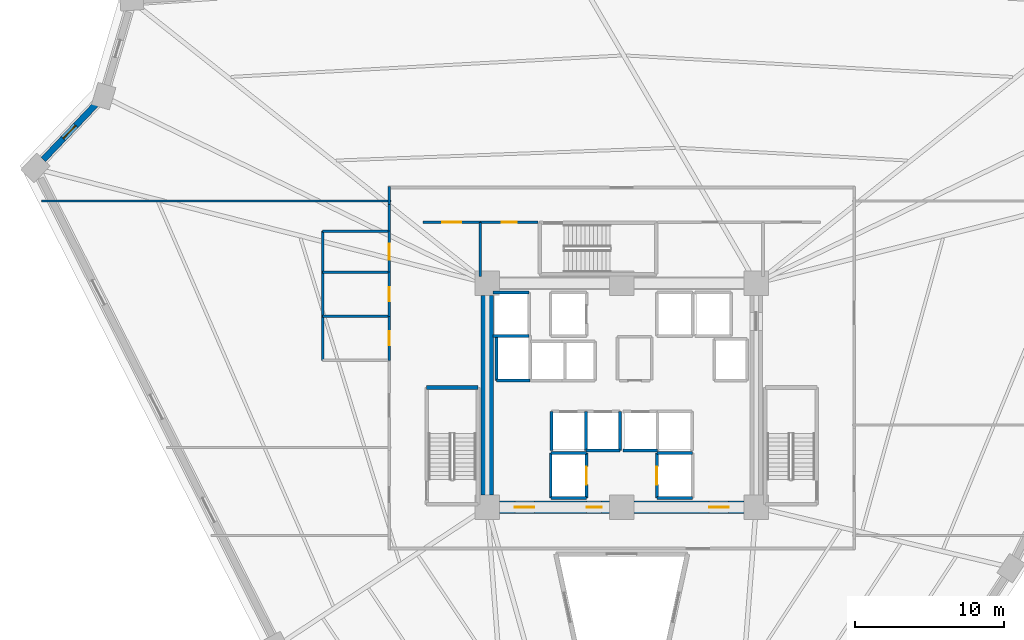
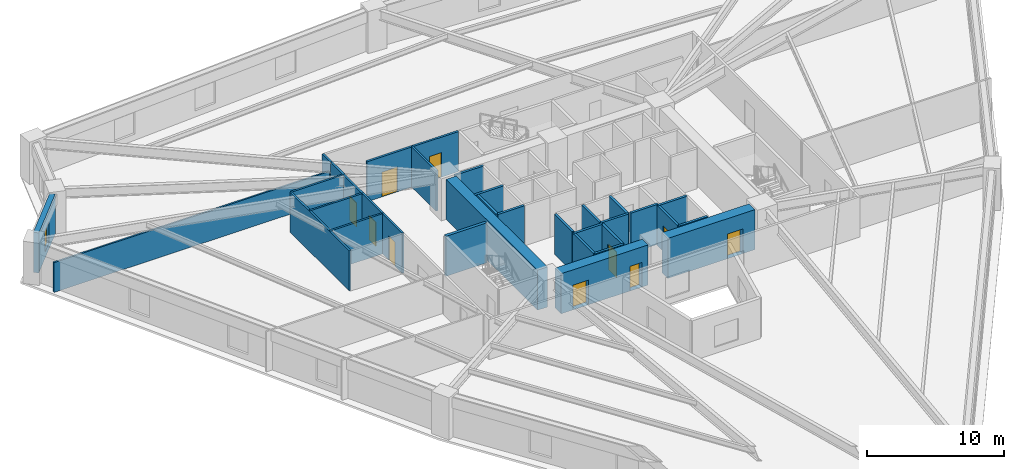
# One storey, part 4 of 8: 34 walls, 10 doors, 1 window, 11 openings.
"""IFC4 building model written with IfcOpenShell, lengths in metres."""

from ifc_helpers import new_model, si_unit, direction, frame, frame_2d, origin, place, context, subcontext, project, spatial, rectangle, extrude, source, transform, mapped, material, layer, layer_set, type_object, element, fill, save


model = new_model("IFC4")

# Units and contexts
model_context = context("Model", 3, precision=1e-05, world=origin(), true_north=direction((0.0, 1.0)))
body_context = subcontext(model_context, "Body", "Model", "MODEL_VIEW")
ifc_project = project(units=[si_unit("LENGTHUNIT", "METRE"), si_unit("AREAUNIT", "SQUARE_METRE"), si_unit("VOLUMEUNIT", "CUBIC_METRE"), si_unit("PLANEANGLEUNIT", "RADIAN"), si_unit("MASSUNIT", "GRAM", prefix="KILO")], contexts=[model_context])

# Site, building, storey
site_placement = place(None, origin())
site = spatial("IfcSite", under=ifc_project, at=site_placement, CompositionType="ELEMENT")
building_placement = place(site_placement, origin())
building = spatial("IfcBuilding", under=site, at=building_placement, Name="Liaohun Quay Tower", CompositionType="ELEMENT")
storey_placement = place(building_placement, frame((0.0, 0.0, 36.0)))
storey = spatial("IfcBuildingStorey", under=building, at=storey_placement, Name="L09", CompositionType="ELEMENT", Elevation=36.0)

# Wall, opening, door
ifc_material_1 = material(Name="Concrete C60", Category="concrete")
ifc_layer_1 = layer(ifc_material_1, 0.85009765625, Name="Concrete C60", Category="concrete")
ifc_layer_set_1 = layer_set([ifc_layer_1], Name="Concrete C60")
wall_type_1 = type_object("IfcWallType", Name="WAL-COR-Z1", PredefinedType="SHEAR", material=ifc_layer_set_1)
wall_1_placement = place(storey_placement, frame((68.175048828125, 46.5, 0.0), z_axis=(0.0, 0.0, 1.0), x_axis=(-1.0, 0.0, 0.0)))
wall_1 = element("IfcWall", 1, at=wall_1_placement, inside=storey, type_object=wall_type_1, Name="L09 Central Core Shear Wall S-E", PredefinedType="SHEAR", context=body_context, shape_type="SweptSolid", body=[
    extrude(rectangle(XDim=7.35009765625, YDim=0.85009765625, at=frame_2d((3.675048828125, 0.0))), origin(), (0.0, 0.0, 1.0), 3.570068359375),
])
shared_shape_1 = source(origin(), body_context, "Body", "SweptSolid", [
    extrude(rectangle(XDim=1.300048828125, YDim=2.199951171875, at=frame_2d((0.64990234375, 1.10009765625))), frame((0.0, 0.43505859375, 0.0), z_axis=(0.0, -1.0, 0.0), x_axis=(1.0, 0.0, 0.0)), (0.0, 0.0, 1.0), 0.8701171875),
])
opening_1_placement = place(wall_1_placement, frame((1.02490234375, 0.0, 0.0)))
opening_1 = element("IfcOpeningElement", 2, at=opening_1_placement, cuts=wall_1, Name="Opening FD1", PredefinedType="OPENING", context=body_context, shape_type="MappedRepresentation", body=[
    mapped(shared_shape_1, transform((0.0, 0.0, 0.0), x_axis=(1.0, 0.0, 0.0), y_axis=(0.0, 1.0, 0.0), z_axis=(0.0, 0.0, 1.0), scale=1.0)),
])
ifc_material_2 = material(Name="Galvanised steel smokeproof fire door", Category="steel")
door_type_1 = type_object("IfcDoorType", Name="DOR-FFL-1300", OperationType="NOTDEFINED", PredefinedType="DOOR", material=ifc_material_2)
shared_shape_2 = source(origin(), body_context, "Body", "SweptSolid", [
    extrude(rectangle(XDim=1.300048828125, YDim=2.199951171875, at=frame_2d((0.64990234375, 1.10009765625))), frame((0.0, 0.02490234375, 0.0), z_axis=(0.0, -1.0, 0.0), x_axis=(1.0, 0.0, 0.0)), (0.0, 0.0, 1.0), 0.050048828125),
])
door_1_placement = place(opening_1_placement, origin())
door_1 = element("IfcDoor", 3, at=door_1_placement, inside=storey, type_object=door_type_1, Name="L09 East Core Lift Lobby Smokeproof Door", OperationType="SINGLE_SWING_LEFT", OverallHeight=2.199951171875, OverallWidth=1.300048828125, PredefinedType="DOOR", context=body_context, shape_type="MappedRepresentation", body=[
    mapped(shared_shape_2, transform((0.0, 0.0, 0.0), x_axis=(1.0, 0.0, 0.0), y_axis=(0.0, 1.0, 0.0), z_axis=(0.0, 0.0, 1.0), scale=1.0)),
])
fill(opening_1, door_1)

# Wall, openings, doors
wall_2_placement = place(storey_placement, frame((59.175048828125, 46.5, 0.0), z_axis=(0.0, 0.0, 1.0), x_axis=(-1.0, 0.0, 0.0)))
wall_2 = element("IfcWall", 4, at=wall_2_placement, inside=storey, type_object=wall_type_1, Name="L09 Central Core Shear Wall S-W", PredefinedType="SHEAR", context=body_context, shape_type="SweptSolid", body=[
    extrude(rectangle(XDim=7.35009765625, YDim=0.85009765625, at=frame_2d((3.675048828125, 0.0))), origin(), (0.0, 0.0, 1.0), 3.570068359375),
])
opening_2_placement = place(wall_2_placement, frame((5.02490234375, 0.0, 0.0)))
opening_2 = element("IfcOpeningElement", 5, at=opening_2_placement, cuts=wall_2, Name="Opening FD1", PredefinedType="OPENING", context=body_context, shape_type="MappedRepresentation", body=[
    mapped(shared_shape_1, transform((0.0, 0.0, 0.0), x_axis=(1.0, 0.0, 0.0), y_axis=(0.0, 1.0, 0.0), z_axis=(0.0, 0.0, 1.0), scale=1.0)),
])
shared_shape_3 = source(origin(), body_context, "Body", "SweptSolid", [
    extrude(rectangle(XDim=1.0, YDim=2.199951171875, at=frame_2d((0.5, 1.10009765625))), frame((0.0, 0.43505859375, 0.0), z_axis=(0.0, -1.0, 0.0), x_axis=(1.0, 0.0, 0.0)), (0.0, 0.0, 1.0), 0.8701171875),
])
opening_3_placement = place(wall_2_placement, frame((0.52490234375, 0.0, 0.0)))
opening_3 = element("IfcOpeningElement", 6, at=opening_3_placement, cuts=wall_2, Name="Opening FD2", PredefinedType="OPENING", context=body_context, shape_type="MappedRepresentation", body=[
    mapped(shared_shape_3, transform((0.0, 0.0, 0.0), x_axis=(1.0, 0.0, 0.0), y_axis=(0.0, 1.0, 0.0), z_axis=(0.0, 0.0, 1.0), scale=1.0)),
])
door_2_placement = place(opening_2_placement, origin())
door_2 = element("IfcDoor", 7, at=door_2_placement, inside=storey, type_object=door_type_1, Name="L09 West Core Lift Lobby Smokeproof Door", OperationType="SINGLE_SWING_RIGHT", OverallHeight=2.199951171875, OverallWidth=1.300048828125, PredefinedType="DOOR", context=body_context, shape_type="MappedRepresentation", body=[
    mapped(shared_shape_2, transform((0.0, 0.0, 0.0), x_axis=(1.0, 0.0, 0.0), y_axis=(0.0, 1.0, 0.0), z_axis=(0.0, 0.0, 1.0), scale=1.0)),
])
fill(opening_2, door_2)
ifc_material_3 = material(Name="Galvanised steel smokeproof lobby fire door", Category="steel")
door_type_2 = type_object("IfcDoorType", Name="DOR-FFL-1000", OperationType="NOTDEFINED", PredefinedType="DOOR", material=ifc_material_3)
shared_shape_4 = source(origin(), body_context, "Body", "SweptSolid", [
    extrude(rectangle(XDim=1.0, YDim=2.199951171875, at=frame_2d((0.5, 1.10009765625))), frame((0.0, 0.02490234375, 0.0), z_axis=(0.0, -1.0, 0.0), x_axis=(1.0, 0.0, 0.0)), (0.0, 0.0, 1.0), 0.050048828125),
])
door_3_placement = place(opening_3_placement, origin())
door_3 = element("IfcDoor", 8, at=door_3_placement, inside=storey, type_object=door_type_2, Name="L09 South Firefighting Lobby Smokeproof Door", OperationType="SINGLE_SWING_LEFT", OverallHeight=2.199951171875, OverallWidth=1.0, PredefinedType="DOOR", context=body_context, shape_type="MappedRepresentation", body=[
    mapped(shared_shape_4, transform((0.0, 0.0, 0.0), x_axis=(1.0, 0.0, 0.0), y_axis=(0.0, 1.0, 0.0), z_axis=(0.0, 0.0, 1.0), scale=1.0)),
])
fill(opening_3, door_3)

# Wall
wall_3_placement = place(storey_placement, frame((51.0, 47.324951171875, 0.0), z_axis=(0.0, 0.0, 1.0), x_axis=(0.0, 1.0, 0.0)))
element("IfcWall", 9, at=wall_3_placement, inside=storey, type_object=wall_type_1, Name="L09 Central Core Shear Wall W", PredefinedType="SHEAR", context=body_context, shape_type="SweptSolid", body=[
    extrude(rectangle(XDim=13.35009765625, YDim=0.85009765625, at=frame_2d((6.675048828125, 0.0))), origin(), (0.0, 0.0, 1.0), 3.570068359375),
])

# Wall, opening, window
ifc_material_4 = material(Name="Precast concrete C50 insulated sandwich", Category="concrete")
ifc_layer_2 = layer(ifc_material_4, 0.419921875, Name="Precast concrete C50 insulated sandwich", Category="concrete")
ifc_layer_set_2 = layer_set([ifc_layer_2], Name="Precast concrete C50 insulated sandwich")
wall_type_2 = type_object("IfcWallType", Name="WAL-EXT-Z12", PredefinedType="SOLIDWALL", material=ifc_layer_set_2)
wall_4_placement = place(storey_placement, frame((24.7939453125, 73.468017578125, 0.0), z_axis=(0.0, 0.0, 1.0), x_axis=(-0.689456877946, -0.724326731146, 0.0)))
wall_4 = element("IfcWall", 10, at=wall_4_placement, inside=storey, type_object=wall_type_2, Name="L09 Brutalist Precast Pier Wall 09", PredefinedType="SOLIDWALL", context=body_context, shape_type="SweptSolid", body=[
    extrude(rectangle(XDim=5.10400390625, YDim=0.419921875, at=frame_2d((2.552001953125, 0.0))), origin(), (0.0, 0.0, 1.0), 3.570068359375),
])
shared_shape_5 = source(origin(), body_context, "Body", "SweptSolid", [
    extrude(rectangle(XDim=1.199951171875, YDim=1.89990234375, at=frame_2d((0.60009765625, 0.949951171875))), frame((0.0, 0.219970703125, 0.0), z_axis=(0.0, -1.0, 0.0), x_axis=(1.0, 0.0, 0.0)), (0.0, 0.0, 1.0), 0.43994140625),
])
opening_4_placement = place(wall_4_placement, frame((1.951904296875, 0.0, 0.550048828125)))
opening_4 = element("IfcOpeningElement", 11, at=opening_4_placement, cuts=wall_4, Name="Opening W05", PredefinedType="OPENING", context=body_context, shape_type="MappedRepresentation", body=[
    mapped(shared_shape_5, transform((0.0, 0.0, 0.0), x_axis=(1.0, 0.0, 0.0), y_axis=(0.0, 1.0, 0.0), z_axis=(0.0, 0.0, 1.0), scale=1.0)),
])
ifc_material_5 = material(Name="Triple Low-E corner notch glazing", Category="glass")
window_type = type_object("IfcWindowType", Name="WIN-NOTCH", PartitioningType="SINGLE_PANEL", PredefinedType="WINDOW", material=ifc_material_5)
shared_shape_6 = source(origin(), body_context, "Body", "SweptSolid", [
    extrude(rectangle(XDim=1.199951171875, YDim=1.89990234375, at=frame_2d((0.60009765625, 0.949951171875))), frame((0.0, 0.030029296875, 0.0), z_axis=(0.0, -1.0, 0.0), x_axis=(1.0, 0.0, 0.0)), (0.0, 0.0, 1.0), 0.06005859375),
])
window_placement = place(opening_4_placement, origin())
window = element("IfcWindow", 12, at=window_placement, inside=storey, type_object=window_type, Name="L09 Corner Notch Window W05-09", OverallHeight=1.89990234375, OverallWidth=1.199951171875, PartitioningType="SINGLE_PANEL", PredefinedType="WINDOW", context=body_context, shape_type="MappedRepresentation", body=[
    mapped(shared_shape_6, transform((0.0, 0.0, 0.0), x_axis=(1.0, 0.0, 0.0), y_axis=(0.0, 1.0, 0.0), z_axis=(0.0, 0.0, 1.0), scale=1.0)),
])
fill(opening_4, window)

# Wall, opening, door
ifc_material_6 = material(Name="Autoclaved aerated concrete blockwork", Category="masonry")
ifc_layer_3 = layer(ifc_material_6, 0.179931640625, Name="Autoclaved aerated concrete blockwork", Category="masonry")
ifc_layer_set_3 = layer_set([ifc_layer_3], Name="Autoclaved aerated concrete blockwork")
wall_type_3 = type_object("IfcWallType", Name="WAL-PRT-COR", PredefinedType="PARTITIONING", material=ifc_layer_set_3)
wall_5_placement = place(storey_placement, frame((50.5400390625, 65.580078125, 0.0), z_axis=(0.0, 0.0, 1.0), x_axis=(1.0, 0.0, 0.0)))
wall_5 = element("IfcWall", 13, at=wall_5_placement, inside=storey, type_object=wall_type_3, Name="L09 Interior Partition Wall 005", PredefinedType="PARTITIONING", context=body_context, shape_type="SweptSolid", body=[
    extrude(rectangle(XDim=3.869873046875, YDim=0.179931640625, at=frame_2d((1.93505859375, 0.0))), origin(), (0.0, 0.0, 1.0), 3.570068359375),
])
shared_shape_7 = source(origin(), body_context, "Body", "SweptSolid", [
    extrude(rectangle(XDim=1.0, YDim=2.199951171875, at=frame_2d((0.5, 1.10009765625))), frame((0.0, 0.099853515625, 0.0), z_axis=(0.0, -1.0, 0.0), x_axis=(1.0, 0.0, 0.0)), (0.0, 0.0, 1.0), 0.199951171875),
])
opening_5_placement = place(wall_5_placement, frame((1.43505859375, 0.0, 0.0)))
opening_5 = element("IfcOpeningElement", 14, at=opening_5_placement, cuts=wall_5, Name="Opening OD1", PredefinedType="OPENING", context=body_context, shape_type="MappedRepresentation", body=[
    mapped(shared_shape_7, transform((0.0, 0.0, 0.0), x_axis=(1.0, 0.0, 0.0), y_axis=(0.0, 1.0, 0.0), z_axis=(0.0, 0.0, 1.0), scale=1.0)),
])
ifc_material_7 = material(Name="Solid-core oak veneer timber leaf in steel frame", Category="steel")
door_type_3 = type_object("IfcDoorType", Name="DOR-OFF-1000", OperationType="NOTDEFINED", PredefinedType="DOOR", material=ifc_material_7)
door_4_placement = place(opening_5_placement, origin())
door_4 = element("IfcDoor", 15, at=door_4_placement, inside=storey, type_object=door_type_3, Name="L09 North-West Print and Telecom Room Door", OperationType="SINGLE_SWING_RIGHT", OverallHeight=2.199951171875, OverallWidth=1.0, PredefinedType="DOOR", context=body_context, shape_type="MappedRepresentation", body=[
    mapped(shared_shape_4, transform((0.0, 0.0, 0.0), x_axis=(1.0, 0.0, 0.0), y_axis=(0.0, 1.0, 0.0), z_axis=(0.0, 0.0, 1.0), scale=1.0)),
])
fill(opening_5, door_4)

wall_6_placement = place(storey_placement, frame((46.699951171875, 65.580078125, 0.0), z_axis=(0.0, 0.0, 1.0), x_axis=(1.0, 0.0, 0.0)))
wall_6 = element("IfcWall", 16, at=wall_6_placement, inside=storey, type_object=wall_type_3, Name="L09 Interior Partition Wall 007", PredefinedType="PARTITIONING", context=body_context, shape_type="SweptSolid", body=[
    extrude(rectangle(XDim=3.840087890625, YDim=0.179931640625, at=frame_2d((1.919921875, 0.0))), origin(), (0.0, 0.0, 1.0), 3.570068359375),
])
shared_shape_8 = source(origin(), body_context, "Body", "SweptSolid", [
    extrude(rectangle(XDim=1.300048828125, YDim=2.199951171875, at=frame_2d((0.64990234375, 1.10009765625))), frame((0.0, 0.099853515625, 0.0), z_axis=(0.0, -1.0, 0.0), x_axis=(1.0, 0.0, 0.0)), (0.0, 0.0, 1.0), 0.199951171875),
])
opening_6_placement = place(wall_6_placement, frame((1.27001953125, 0.0, 0.0)))
opening_6 = element("IfcOpeningElement", 17, at=opening_6_placement, cuts=wall_6, Name="Opening FD1", PredefinedType="OPENING", context=body_context, shape_type="MappedRepresentation", body=[
    mapped(shared_shape_8, transform((0.0, 0.0, 0.0), x_axis=(1.0, 0.0, 0.0), y_axis=(0.0, 1.0, 0.0), z_axis=(0.0, 0.0, 1.0), scale=1.0)),
])
door_5_placement = place(opening_6_placement, origin())
door_5 = element("IfcDoor", 18, at=door_5_placement, inside=storey, type_object=door_type_1, Name="L09 West Core Vestibule Door", OperationType="SINGLE_SWING_RIGHT", OverallHeight=2.199951171875, OverallWidth=1.300048828125, PredefinedType="DOOR", context=body_context, shape_type="MappedRepresentation", body=[
    mapped(shared_shape_2, transform((0.0, 0.0, 0.0), x_axis=(1.0, 0.0, 0.0), y_axis=(0.0, 1.0, 0.0), z_axis=(0.0, 0.0, 1.0), scale=1.0)),
])
fill(opening_6, door_5)

# Walls
wall_7_placement = place(storey_placement, frame((50.5400390625, 61.949951171875, 0.0), z_axis=(0.0, 0.0, 1.0), x_axis=(0.0, 1.0, 0.0)))
element("IfcWall", 19, at=wall_7_placement, inside=storey, type_object=wall_type_3, Name="L09 Interior Partition Wall 023", PredefinedType="PARTITIONING", context=body_context, shape_type="SweptSolid", body=[
    extrude(rectangle(XDim=3.630126953125, YDim=0.179931640625, at=frame_2d((1.81494140625, 0.0))), origin(), (0.0, 0.0, 1.0), 3.570068359375),
])
wall_8_placement = place(storey_placement, frame((44.43994140625, 66.784912109375, 0.0), z_axis=(0.0, 0.0, 1.0), x_axis=(0.0, 1.0, 0.0)))
element("IfcWall", 20, at=wall_8_placement, inside=storey, type_object=wall_type_3, Name="L09 Interior Partition Wall 025", PredefinedType="PARTITIONING", context=body_context, shape_type="SweptSolid", body=[
    extrude(rectangle(XDim=1.195068359375, YDim=0.179931640625, at=frame_2d((0.59765625, 0.0))), origin(), (0.0, 0.0, 1.0), 3.570068359375),
])
wall_9_placement = place(storey_placement, frame((44.43994140625, 64.97998046875, 0.0), z_axis=(0.0, 0.0, 1.0), x_axis=(0.0, 1.0, 0.0)))
element("IfcWall", 21, at=wall_9_placement, inside=storey, type_object=wall_type_3, Name="L09 Interior Partition Wall 027", PredefinedType="PARTITIONING", context=body_context, shape_type="SweptSolid", body=[
    extrude(rectangle(XDim=1.804931640625, YDim=0.179931640625, at=frame_2d((0.90234375, 0.0))), origin(), (0.0, 0.0, 1.0), 3.570068359375),
])
ifc_material_8 = material(Name="Gypsum board on twin steel studs", Category="steel")
ifc_layer_4 = layer(ifc_material_8, 0.139892578125, Name="Gypsum board on twin steel studs", Category="steel")
ifc_layer_set_4 = layer_set([ifc_layer_4], Name="Gypsum board on twin steel studs")
wall_type_4 = type_object("IfcWallType", Name="WAL-PRT-OFF", PredefinedType="PARTITIONING", material=ifc_layer_set_4)
wall_10_placement = place(storey_placement, frame((44.5400390625, 67.0, 0.0), z_axis=(0.0, 0.0, 1.0), x_axis=(-1.0, 0.0, 0.0)))
element("IfcWall", 22, at=wall_10_placement, inside=storey, type_object=wall_type_4, Name="L09 Interior Partition Wall 032", PredefinedType="PARTITIONING", context=body_context, shape_type="SweptSolid", body=[
    extrude(rectangle(XDim=23.3759765625, YDim=0.139892578125, at=frame_2d((11.68798828125, 0.0))), origin(), (0.0, 0.0, 1.0), 2.655029296875),
])

# Wall, opening, door
ifc_material_9 = material(Name="Moisture-resistant masonry blockwork", Category="masonry")
ifc_layer_5 = layer(ifc_material_9, 0.159912109375, Name="Moisture-resistant masonry blockwork", Category="masonry")
ifc_layer_set_5 = layer_set([ifc_layer_5], Name="Moisture-resistant masonry blockwork")
wall_type_5 = type_object("IfcWallType", Name="WAL-PRT-WET", PredefinedType="PARTITIONING", material=ifc_layer_set_5)
wall_11_placement = place(storey_placement, frame((44.43994140625, 56.340087890625, 0.0), z_axis=(0.0, 0.0, 1.0), x_axis=(0.0, 1.0, 0.0)))
wall_11 = element("IfcWall", 23, at=wall_11_placement, inside=storey, type_object=wall_type_5, Name="L09 Interior Partition Wall 002", PredefinedType="PARTITIONING", context=body_context, shape_type="SweptSolid", body=[
    extrude(rectangle(XDim=2.93994140625, YDim=0.159912109375, at=frame_2d((1.469970703125, 0.0))), origin(), (0.0, 0.0, 1.0), 3.570068359375),
])
shared_shape_9 = source(origin(), body_context, "Body", "SweptSolid", [
    extrude(rectangle(XDim=0.949951171875, YDim=2.14990234375, at=frame_2d((0.47509765625, 1.074951171875))), frame((0.0, 0.08984375, 0.0), z_axis=(0.0, -1.0, 0.0), x_axis=(1.0, 0.0, 0.0)), (0.0, 0.0, 1.0), 0.179931640625),
])
opening_7_placement = place(wall_11_placement, frame((0.9951171875, 0.0, 0.0)))
opening_7 = element("IfcOpeningElement", 24, at=opening_7_placement, cuts=wall_11, Name="Opening WD1", PredefinedType="OPENING", context=body_context, shape_type="MappedRepresentation", body=[
    mapped(shared_shape_9, transform((0.0, 0.0, 0.0), x_axis=(1.0, 0.0, 0.0), y_axis=(0.0, 1.0, 0.0), z_axis=(0.0, 0.0, 1.0), scale=1.0)),
])
ifc_material_10 = material(Name="Moisture-resistant laminate timber leaf", Category="wood")
door_type_4 = type_object("IfcDoorType", Name="DOR-WC-950", OperationType="NOTDEFINED", PredefinedType="DOOR", material=ifc_material_10)
shared_shape_10 = source(origin(), body_context, "Body", "SweptSolid", [
    extrude(rectangle(XDim=0.949951171875, YDim=2.14990234375, at=frame_2d((0.47509765625, 1.074951171875))), frame((0.0, 0.02490234375, 0.0), z_axis=(0.0, -1.0, 0.0), x_axis=(1.0, 0.0, 0.0)), (0.0, 0.0, 1.0), 0.050048828125),
])
door_6_placement = place(opening_7_placement, origin())
door_6 = element("IfcDoor", 25, at=door_6_placement, inside=storey, type_object=door_type_4, Name="L09 Male Restroom WC Door", OperationType="SINGLE_SWING_LEFT", OverallHeight=2.14990234375, OverallWidth=0.949951171875, PredefinedType="DOOR", context=body_context, shape_type="MappedRepresentation", body=[
    mapped(shared_shape_10, transform((0.0, 0.0, 0.0), x_axis=(1.0, 0.0, 0.0), y_axis=(0.0, 1.0, 0.0), z_axis=(0.0, 0.0, 1.0), scale=1.0)),
])
fill(opening_7, door_6)

wall_12_placement = place(storey_placement, frame((44.43994140625, 59.280029296875, 0.0), z_axis=(0.0, 0.0, 1.0), x_axis=(0.0, 1.0, 0.0)))
wall_12 = element("IfcWall", 26, at=wall_12_placement, inside=storey, type_object=wall_type_5, Name="L09 Interior Partition Wall 003", PredefinedType="PARTITIONING", context=body_context, shape_type="SweptSolid", body=[
    extrude(rectangle(XDim=2.9599609375, YDim=0.159912109375, at=frame_2d((1.47998046875, 0.0))), origin(), (0.0, 0.0, 1.0), 3.570068359375),
])
opening_8_placement = place(wall_12_placement, frame((1.0048828125, 0.0, 0.0)))
opening_8 = element("IfcOpeningElement", 27, at=opening_8_placement, cuts=wall_12, Name="Opening WD1", PredefinedType="OPENING", context=body_context, shape_type="MappedRepresentation", body=[
    mapped(shared_shape_9, transform((0.0, 0.0, 0.0), x_axis=(1.0, 0.0, 0.0), y_axis=(0.0, 1.0, 0.0), z_axis=(0.0, 0.0, 1.0), scale=1.0)),
])
door_7_placement = place(opening_8_placement, origin())
door_7 = element("IfcDoor", 28, at=door_7_placement, inside=storey, type_object=door_type_4, Name="L09 Female Restroom WC Door", OperationType="SINGLE_SWING_RIGHT", OverallHeight=2.14990234375, OverallWidth=0.949951171875, PredefinedType="DOOR", context=body_context, shape_type="MappedRepresentation", body=[
    mapped(shared_shape_10, transform((0.0, 0.0, 0.0), x_axis=(1.0, 0.0, 0.0), y_axis=(0.0, 1.0, 0.0), z_axis=(0.0, 0.0, 1.0), scale=1.0)),
])
fill(opening_8, door_7)

wall_13_placement = place(storey_placement, frame((44.43994140625, 62.239990234375, 0.0), z_axis=(0.0, 0.0, 1.0), x_axis=(0.0, 1.0, 0.0)))
wall_13 = element("IfcWall", 29, at=wall_13_placement, inside=storey, type_object=wall_type_5, Name="L09 Interior Partition Wall 004", PredefinedType="PARTITIONING", context=body_context, shape_type="SweptSolid", body=[
    extrude(rectangle(XDim=2.739990234375, YDim=0.159912109375, at=frame_2d((1.3701171875, 0.0))), origin(), (0.0, 0.0, 1.0), 3.570068359375),
])
shared_shape_11 = source(origin(), body_context, "Body", "SweptSolid", [
    extrude(rectangle(XDim=1.050048828125, YDim=2.14990234375, at=frame_2d((0.52490234375, 1.074951171875))), frame((0.0, 0.08984375, 0.0), z_axis=(0.0, -1.0, 0.0), x_axis=(1.0, 0.0, 0.0)), (0.0, 0.0, 1.0), 0.179931640625),
])
opening_9_placement = place(wall_13_placement, frame((0.844970703125, 0.0, 0.0)))
opening_9 = element("IfcOpeningElement", 30, at=opening_9_placement, cuts=wall_13, Name="Opening WD2", PredefinedType="OPENING", context=body_context, shape_type="MappedRepresentation", body=[
    mapped(shared_shape_11, transform((0.0, 0.0, 0.0), x_axis=(1.0, 0.0, 0.0), y_axis=(0.0, 1.0, 0.0), z_axis=(0.0, 0.0, 1.0), scale=1.0)),
])
ifc_material_11 = material(Name="Accessible outward-swinging laminate door")
door_type_5 = type_object("IfcDoorType", Name="DOR-AWC-1050", OperationType="NOTDEFINED", PredefinedType="DOOR", material=ifc_material_11)
shared_shape_12 = source(origin(), body_context, "Body", "SweptSolid", [
    extrude(rectangle(XDim=1.050048828125, YDim=2.14990234375, at=frame_2d((0.52490234375, 1.074951171875))), frame((0.0, 0.02490234375, 0.0), z_axis=(0.0, -1.0, 0.0), x_axis=(1.0, 0.0, 0.0)), (0.0, 0.0, 1.0), 0.050048828125),
])
door_8_placement = place(opening_9_placement, origin())
door_8 = element("IfcDoor", 31, at=door_8_placement, inside=storey, type_object=door_type_5, Name="L09 Accessible WC Door", OperationType="SINGLE_SWING_LEFT", OverallHeight=2.14990234375, OverallWidth=1.050048828125, PredefinedType="DOOR", context=body_context, shape_type="MappedRepresentation", body=[
    mapped(shared_shape_12, transform((0.0, 0.0, 0.0), x_axis=(1.0, 0.0, 0.0), y_axis=(0.0, 1.0, 0.0), z_axis=(0.0, 0.0, 1.0), scale=1.0)),
])
fill(opening_9, door_8)

# Walls
wall_14_placement = place(storey_placement, frame((39.97998046875, 56.340087890625, 0.0), z_axis=(0.0, 0.0, 1.0), x_axis=(0.0, 1.0, 0.0)))
element("IfcWall", 32, at=wall_14_placement, inside=storey, type_object=wall_type_5, Name="L09 Interior Partition Wall 018", PredefinedType="PARTITIONING", context=body_context, shape_type="SweptSolid", body=[
    extrude(rectangle(XDim=8.639892578125, YDim=0.159912109375, at=frame_2d((4.31982421875, 0.0))), origin(), (0.0, 0.0, 1.0), 3.570068359375),
])
for number, where, z_axis, x_axis, name in (
    (33, (39.97998046875, 59.280029296875, 0.0), (0.0, 0.0, 1.0), (1.0, 0.0, 0.0), "L09 Interior Partition Wall 020"),
    (34, (39.97998046875, 62.239990234375, 0.0), (0.0, 0.0, 1.0), (1.0, 0.0, 0.0), "L09 Interior Partition Wall 021"),
    (35, (39.97998046875, 64.97998046875, 0.0), (0.0, 0.0, 1.0), (1.0, 0.0, 0.0), "L09 Interior Partition Wall 022"),
):
    element("IfcWall", number, at=place(storey_placement, frame(where, z_axis=z_axis, x_axis=x_axis)), inside=storey, type_object=wall_type_5, Name=name, PredefinedType="PARTITIONING", context=body_context, shape_type="SweptSolid", body=[
        extrude(rectangle(XDim=4.4599609375, YDim=0.159912109375, at=frame_2d((2.22998046875, 0.0))), origin(), (0.0, 0.0, 1.0), 3.570068359375),
    ])
ifc_material_12 = material(Name="Concrete C50", Category="concrete")
ifc_layer_6 = layer(ifc_material_12, 0.239990234375, Name="Concrete C50", Category="concrete")
ifc_layer_set_6 = layer_set([ifc_layer_6], Name="Concrete C50")
wall_type_6 = type_object("IfcWallType", Name="WAL-SHF-200", PredefinedType="SOLIDWALL", material=ifc_layer_set_6)
wall_15_placement = place(storey_placement, frame((50.3798828125, 54.52001953125, 0.0), z_axis=(0.0, 0.0, 1.0), x_axis=(-1.0, 0.0, 0.0)))
element("IfcWall", 36, at=wall_15_placement, inside=storey, type_object=wall_type_6, Name="L09 Stairwell ST-1 Structural Core Wall N", PredefinedType="SOLIDWALL", context=body_context, shape_type="SweptSolid", body=[
    extrude(rectangle(XDim=3.43994140625, YDim=0.239990234375, at=frame_2d((1.719970703125, 0.0))), origin(), (0.0, 0.0, 1.0), 3.570068359375),
])
wall_16_placement = place(storey_placement, frame((55.25, 47.1201171875, 0.0), z_axis=(0.0, 0.0, 1.0), x_axis=(1.0, 0.0, 0.0)))
element("IfcWall", 37, at=wall_16_placement, inside=storey, type_object=wall_type_6, Name="L09 Lift FF-01 Hoistway Wall S", PredefinedType="SOLIDWALL", context=body_context, shape_type="SweptSolid", body=[
    extrude(rectangle(XDim=2.39990234375, YDim=0.199951171875, at=frame_2d((1.199951171875, 0.0))), origin(), (0.0, 0.0, 1.0), 3.570068359375),
])

# Wall, opening, door
wall_17_placement = place(storey_placement, frame((57.64990234375, 47.1201171875, 0.0), z_axis=(0.0, 0.0, 1.0), x_axis=(0.0, 1.0, 0.0)))
wall_17 = element("IfcWall", 38, at=wall_17_placement, inside=storey, type_object=wall_type_6, Name="L09 Lift FF-01 Hoistway Wall E", PredefinedType="SOLIDWALL", context=body_context, shape_type="SweptSolid", body=[
    extrude(rectangle(XDim=3.0, YDim=0.199951171875, at=frame_2d((1.5, 0.0))), origin(), (0.0, 0.0, 1.0), 3.570068359375),
])
shared_shape_13 = source(origin(), body_context, "Body", "SweptSolid", [
    extrude(rectangle(XDim=1.199951171875, YDim=2.300048828125, at=frame_2d((0.60009765625, 1.14990234375))), frame((0.0, 0.10986328125, 0.0), z_axis=(0.0, -1.0, 0.0), x_axis=(1.0, 0.0, 0.0)), (0.0, 0.0, 1.0), 0.219970703125),
])
opening_10_placement = place(wall_17_placement, frame((0.89990234375, 0.0, 0.0)))
opening_10 = element("IfcOpeningElement", 39, at=opening_10_placement, cuts=wall_17, Name="Opening LD2", PredefinedType="OPENING", context=body_context, shape_type="MappedRepresentation", body=[
    mapped(shared_shape_13, transform((0.0, 0.0, 0.0), x_axis=(1.0, 0.0, 0.0), y_axis=(0.0, 1.0, 0.0), z_axis=(0.0, 0.0, 1.0), scale=1.0)),
])
ifc_material_13 = material(Name="Brushed stainless steel stretcher landing door", Category="steel")
door_type_6 = type_object("IfcDoorType", Name="DOR-LFT-1200", OperationType="SLIDING_TO_LEFT", PredefinedType="DOOR", material=ifc_material_13)
shared_shape_14 = source(origin(), body_context, "Body", "SweptSolid", [
    extrude(rectangle(XDim=1.199951171875, YDim=2.300048828125, at=frame_2d((0.60009765625, 1.14990234375))), frame((0.0, 0.02490234375, 0.0), z_axis=(0.0, -1.0, 0.0), x_axis=(1.0, 0.0, 0.0)), (0.0, 0.0, 1.0), 0.050048828125),
])
door_9_placement = place(opening_10_placement, origin())
door_9 = element("IfcDoor", 40, at=door_9_placement, inside=storey, type_object=door_type_6, Name="L09 Lift FF-01 Sliding Landing Door", OperationType="SLIDING_TO_LEFT", OverallHeight=2.300048828125, OverallWidth=1.199951171875, PredefinedType="DOOR", context=body_context, shape_type="MappedRepresentation", body=[
    mapped(shared_shape_14, transform((0.0, 0.0, 0.0), x_axis=(1.0, 0.0, 0.0), y_axis=(0.0, 1.0, 0.0), z_axis=(0.0, 0.0, 1.0), scale=1.0)),
])
fill(opening_10, door_9)

# Walls
wall_18_placement = place(storey_placement, frame((57.64990234375, 50.1201171875, 0.0), z_axis=(0.0, 0.0, 1.0), x_axis=(-1.0, 0.0, 0.0)))
element("IfcWall", 41, at=wall_18_placement, inside=storey, type_object=wall_type_6, Name="L09 Lift FF-01 Hoistway Wall N", PredefinedType="SOLIDWALL", context=body_context, shape_type="SweptSolid", body=[
    extrude(rectangle(XDim=2.39990234375, YDim=0.199951171875, at=frame_2d((1.199951171875, 0.0))), origin(), (0.0, 0.0, 1.0), 3.570068359375),
])
wall_19_placement = place(storey_placement, frame((55.25, 50.1201171875, 0.0), z_axis=(0.0, 0.0, 1.0), x_axis=(0.0, -1.0, 0.0)))
element("IfcWall", 42, at=wall_19_placement, inside=storey, type_object=wall_type_6, Name="L09 Lift FF-01 Hoistway Wall W", PredefinedType="SOLIDWALL", context=body_context, shape_type="SweptSolid", body=[
    extrude(rectangle(XDim=3.0, YDim=0.199951171875, at=frame_2d((1.5, 0.0))), origin(), (0.0, 0.0, 1.0), 3.570068359375),
])
for number, where, z_axis, x_axis, name in (
    (43, (62.35009765625, 47.1201171875, 0.0), (0.0, 0.0, 1.0), (1.0, 0.0, 0.0), "L09 Lift FF-02 Hoistway Wall S"),
    (44, (64.75, 50.1201171875, 0.0), (0.0, 0.0, 1.0), (-1.0, 0.0, 0.0), "L09 Lift FF-02 Hoistway Wall N"),
):
    element("IfcWall", number, at=place(storey_placement, frame(where, z_axis=z_axis, x_axis=x_axis)), inside=storey, type_object=wall_type_6, Name=name, PredefinedType="SOLIDWALL", context=body_context, shape_type="SweptSolid", body=[
        extrude(rectangle(XDim=2.39990234375, YDim=0.199951171875, at=frame_2d((1.199951171875, 0.0))), origin(), (0.0, 0.0, 1.0), 3.570068359375),
    ])

# Wall, opening, door
wall_20_placement = place(storey_placement, frame((62.35009765625, 50.1201171875, 0.0), z_axis=(0.0, 0.0, 1.0), x_axis=(0.0, -1.0, 0.0)))
wall_20 = element("IfcWall", 45, at=wall_20_placement, inside=storey, type_object=wall_type_6, Name="L09 Lift FF-02 Hoistway Wall W", PredefinedType="SOLIDWALL", context=body_context, shape_type="SweptSolid", body=[
    extrude(rectangle(XDim=3.0, YDim=0.199951171875, at=frame_2d((1.5, 0.0))), origin(), (0.0, 0.0, 1.0), 3.570068359375),
])
opening_11_placement = place(wall_20_placement, frame((0.89990234375, 0.0, 0.0)))
opening_11 = element("IfcOpeningElement", 46, at=opening_11_placement, cuts=wall_20, Name="Opening LD2", PredefinedType="OPENING", context=body_context, shape_type="MappedRepresentation", body=[
    mapped(shared_shape_13, transform((0.0, 0.0, 0.0), x_axis=(1.0, 0.0, 0.0), y_axis=(0.0, 1.0, 0.0), z_axis=(0.0, 0.0, 1.0), scale=1.0)),
])
door_10_placement = place(opening_11_placement, origin())
door_10 = element("IfcDoor", 47, at=door_10_placement, inside=storey, type_object=door_type_6, Name="L09 Lift FF-02 Sliding Landing Door", OperationType="SLIDING_TO_LEFT", OverallHeight=2.300048828125, OverallWidth=1.199951171875, PredefinedType="DOOR", context=body_context, shape_type="MappedRepresentation", body=[
    mapped(shared_shape_14, transform((0.0, 0.0, 0.0), x_axis=(1.0, 0.0, 0.0), y_axis=(0.0, 1.0, 0.0), z_axis=(0.0, 0.0, 1.0), scale=1.0)),
])
fill(opening_11, door_10)

# Walls
for number, where, z_axis, x_axis, name in (
    (48, (51.39990234375, 57.949951171875, 0.0), (0.0, 0.0, 1.0), (1.0, 0.0, 0.0), "L09 Lift SH-01 Hoistway Wall S"),
    (49, (53.800048828125, 60.8798828125, 0.0), (0.0, 0.0, 1.0), (-1.0, 0.0, 0.0), "L09 Lift SH-01 Hoistway Wall N"),
):
    element("IfcWall", number, at=place(storey_placement, frame(where, z_axis=z_axis, x_axis=x_axis)), inside=storey, type_object=wall_type_6, Name=name, PredefinedType="SOLIDWALL", context=body_context, shape_type="SweptSolid", body=[
        extrude(rectangle(XDim=2.400146484375, YDim=0.199951171875, at=frame_2d((1.2001953125, 0.0))), origin(), (0.0, 0.0, 1.0), 3.570068359375),
    ])
wall_21_placement = place(storey_placement, frame((51.6201171875, 55.0, 0.0), z_axis=(0.0, 0.0, 1.0), x_axis=(1.0, 0.0, 0.0)))
element("IfcWall", 50, at=wall_21_placement, inside=storey, type_object=wall_type_6, Name="L09 Lift SH-02 Hoistway Wall S", PredefinedType="SOLIDWALL", context=body_context, shape_type="SweptSolid", body=[
    extrude(rectangle(XDim=2.22998046875, YDim=0.199951171875, at=frame_2d((1.114990234375, 0.0))), origin(), (0.0, 0.0, 1.0), 3.570068359375),
])
wall_22_placement = place(storey_placement, frame((51.6201171875, 58.0, 0.0), z_axis=(0.0, 0.0, 1.0), x_axis=(0.0, -1.0, 0.0)))
element("IfcWall", 51, at=wall_22_placement, inside=storey, type_object=wall_type_6, Name="L09 Lift SH-02 Hoistway Wall W", PredefinedType="SOLIDWALL", context=body_context, shape_type="SweptSolid", body=[
    extrude(rectangle(XDim=3.0, YDim=0.199951171875, at=frame_2d((1.5, 0.0))), origin(), (0.0, 0.0, 1.0), 3.570068359375),
])
for number, where, z_axis, x_axis, name in (
    (52, (57.60009765625, 50.300048828125, 0.0), (0.0, 0.0, 1.0), (0.0, 1.0, 0.0), "L09 Lift PL-1A Hoistway Wall E"),
    (53, (55.300048828125, 52.89990234375, 0.0), (0.0, 0.0, 1.0), (0.0, -1.0, 0.0), "L09 Lift PL-1A Hoistway Wall W"),
):
    element("IfcWall", number, at=place(storey_placement, frame(where, z_axis=z_axis, x_axis=x_axis)), inside=storey, type_object=wall_type_6, Name=name, PredefinedType="SOLIDWALL", context=body_context, shape_type="SweptSolid", body=[
        extrude(rectangle(XDim=2.599853515625, YDim=0.199951171875, at=frame_2d((1.2998046875, 0.0))), origin(), (0.0, 0.0, 1.0), 3.570068359375),
    ])
wall_23_placement = place(storey_placement, frame((57.60009765625, 50.300048828125, 0.0), z_axis=(0.0, 0.0, 1.0), x_axis=(1.0, 0.0, 0.0)))
element("IfcWall", 54, at=wall_23_placement, inside=storey, type_object=wall_type_6, Name="L09 Lift PL-1B Hoistway Wall S", PredefinedType="SOLIDWALL", context=body_context, shape_type="SweptSolid", body=[
    extrude(rectangle(XDim=2.2998046875, YDim=0.199951171875, at=frame_2d((1.14990234375, 0.0))), origin(), (0.0, 0.0, 1.0), 3.570068359375),
])
wall_24_placement = place(storey_placement, frame((59.89990234375, 50.300048828125, 0.0), z_axis=(0.0, 0.0, 1.0), x_axis=(0.0, 1.0, 0.0)))
element("IfcWall", 55, at=wall_24_placement, inside=storey, type_object=wall_type_6, Name="L09 Lift PL-1B Hoistway Wall E", PredefinedType="SOLIDWALL", context=body_context, shape_type="SweptSolid", body=[
    extrude(rectangle(XDim=2.599853515625, YDim=0.199951171875, at=frame_2d((1.2998046875, 0.0))), origin(), (0.0, 0.0, 1.0), 3.570068359375),
])
wall_25_placement = place(storey_placement, frame((60.10009765625, 50.300048828125, 0.0), z_axis=(0.0, 0.0, 1.0), x_axis=(1.0, 0.0, 0.0)))
element("IfcWall", 56, at=wall_25_placement, inside=storey, type_object=wall_type_6, Name="L09 Lift PL-1C Hoistway Wall S", PredefinedType="SOLIDWALL", context=body_context, shape_type="SweptSolid", body=[
    extrude(rectangle(XDim=2.2998046875, YDim=0.199951171875, at=frame_2d((1.14990234375, 0.0))), origin(), (0.0, 0.0, 1.0), 3.570068359375),
])

save(model, "model.ifc")
